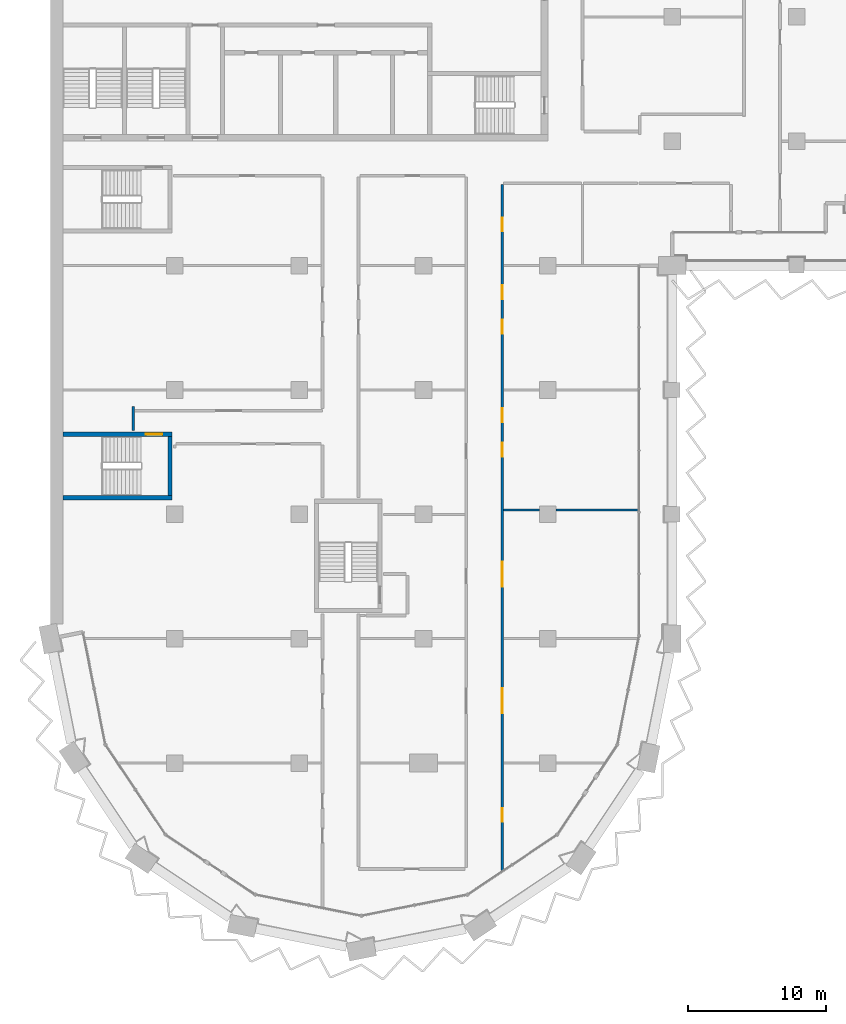
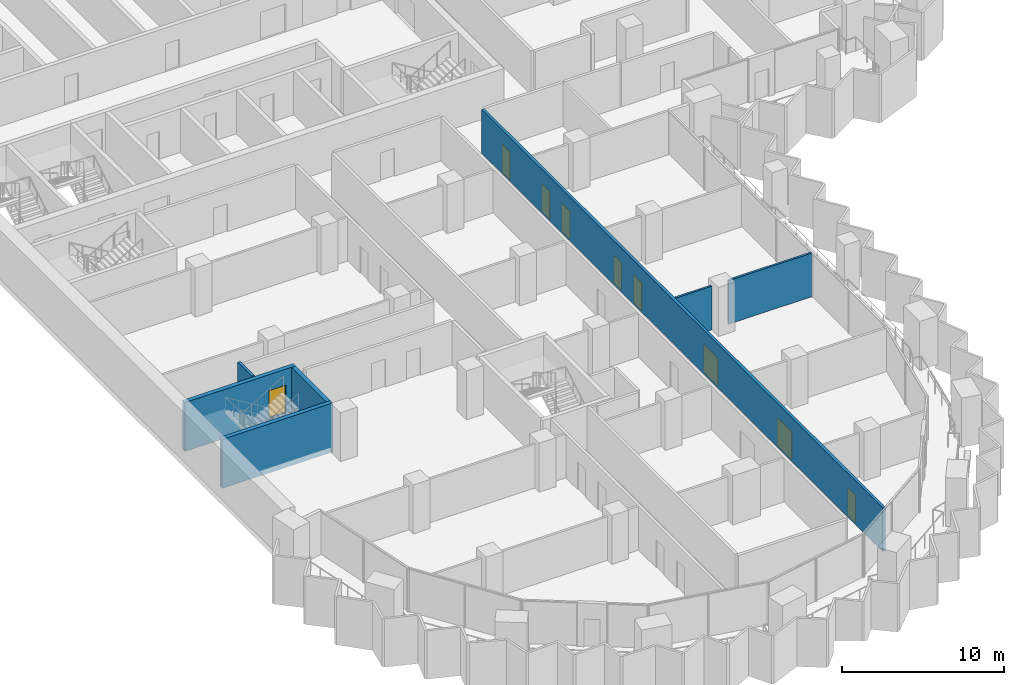
# One storey, part 10 of 23: 9 doors, 7 walls, 9 openings.
"""IFC4 building model written with IfcOpenShell, lengths in metres."""

from ifc_helpers import new_model, si_unit, direction, frame, frame_2d, origin, place, context, subcontext, project, spatial, rectangle, extrude, material, layer, layer_set, type_object, element, fill, save


model = new_model("IFC4")

# Units and contexts
model_context = context("Model", 3, precision=1e-05, world=origin(), true_north=direction((0.0, 1.0)))
body_context = subcontext(model_context, "Body", "Model", "MODEL_VIEW")
ifc_project = project(units=[si_unit("LENGTHUNIT", "METRE"), si_unit("AREAUNIT", "SQUARE_METRE"), si_unit("VOLUMEUNIT", "CUBIC_METRE"), si_unit("PLANEANGLEUNIT", "RADIAN"), si_unit("MASSUNIT", "GRAM", prefix="KILO")], contexts=[model_context])

# Site, building, storey
site_placement = place(None, origin())
site = spatial("IfcSite", under=ifc_project, at=site_placement, CompositionType="ELEMENT")
building_placement = place(site_placement, origin())
building = spatial("IfcBuilding", under=site, at=building_placement, Name="Hunhe Ridgeline Campus", CompositionType="ELEMENT")
storey_placement = place(building_placement, frame((0.0, 0.0, 152.300048828125)))
storey = spatial("IfcBuildingStorey", under=building, at=storey_placement, Name="L38", CompositionType="ELEMENT", Elevation=152.300048828125)

# Wall
ifc_material_1 = material(Name="Gypsum board partition")
ifc_layer_1 = layer(ifc_material_1, 0.199951171875)
ifc_layer_set_1 = layer_set([ifc_layer_1], Name="Corridor partition 200 gypsum board on steel studs")
wall_type_1 = type_object("IfcWallType", Name="Corridor partition 200 gypsum board on steel studs", PredefinedType="PARTITIONING", material=ifc_layer_set_1)
wall_1_placement = place(storey_placement, frame((6.0, 42.053955078125, 0.0), z_axis=(0.0, 0.0, 1.0), x_axis=(0.0, 1.0, 0.0)))
element("IfcWall", 1, at=wall_1_placement, inside=storey, type_object=wall_type_1, Name="F-L38-wall-059", PredefinedType="PARTITIONING", context=body_context, shape_type="SweptSolid", body=[
    extrude(rectangle(XDim=1.74609375, YDim=0.199951171875, at=frame_2d((0.873046875, 0.0))), origin(), (0.0, 0.0, 1.0), 3.300048828125),
])

# Wall, openings, doors
wall_2_placement = place(storey_placement, frame((32.699951171875, 59.85107421875, 0.0), z_axis=(0.0, 0.0, 1.0), x_axis=(0.0, -1.0, 0.0)))
wall_2 = element("IfcWall", 2, at=wall_2_placement, inside=storey, type_object=wall_type_1, Name="F-L38-wall-068", PredefinedType="PARTITIONING", context=body_context, shape_type="SweptSolid", body=[
    extrude(rectangle(XDim=49.62353515625, YDim=0.199951171875, at=frame_2d((24.811767578125, 0.0))), origin(), (0.0, 0.0, 1.0), 3.300048828125),
])
opening_1_placement = place(wall_2_placement, frame((45.113525390625, 0.0, 0.0)))
opening_1 = element("IfcOpeningElement", 3, at=opening_1_placement, cuts=wall_2, Name="Opening RD1-003", PredefinedType="OPENING", context=body_context, shape_type="SweptSolid", body=[
    extrude(rectangle(XDim=1.0, YDim=2.10009765625, at=frame_2d((0.5, 1.050048828125))), frame((0.0, 0.10009765625, 0.0), z_axis=(0.0, -1.0, 0.0), x_axis=(1.0, 0.0, 0.0)), (0.0, 0.0, 1.0), 0.199951171875),
])
opening_2_placement = place(wall_2_placement, frame((36.443115234375, 0.0, 0.0)))
opening_2 = element("IfcOpeningElement", 4, at=opening_2_placement, cuts=wall_2, Name="Opening RD2-007", PredefinedType="OPENING", context=body_context, shape_type="SweptSolid", body=[
    extrude(rectangle(XDim=1.800048828125, YDim=2.10009765625, at=frame_2d((0.89990234375, 1.050048828125))), frame((0.0, 0.10009765625, 0.0), z_axis=(0.0, -1.0, 0.0), x_axis=(1.0, 0.0, 0.0)), (0.0, 0.0, 1.0), 0.199951171875),
])
opening_3_placement = place(wall_2_placement, frame((27.295166015625, 0.0, 0.0)))
opening_3 = element("IfcOpeningElement", 5, at=opening_3_placement, cuts=wall_2, Name="Opening RD2-010", PredefinedType="OPENING", context=body_context, shape_type="SweptSolid", body=[
    extrude(rectangle(XDim=1.800048828125, YDim=2.10009765625, at=frame_2d((0.89990234375, 1.050048828125))), frame((0.0, 0.10009765625, 0.0), z_axis=(0.0, -1.0, 0.0), x_axis=(1.0, 0.0, 0.0)), (0.0, 0.0, 1.0), 0.199951171875),
])
opening_4_placement = place(wall_2_placement, frame((18.672607421875, 0.0, 0.0)))
opening_4 = element("IfcOpeningElement", 6, at=opening_4_placement, cuts=wall_2, Name="Opening RD1-012", PredefinedType="OPENING", context=body_context, shape_type="SweptSolid", body=[
    extrude(rectangle(XDim=1.0, YDim=2.10009765625, at=frame_2d((0.5, 1.050048828125))), frame((0.0, 0.10009765625, 0.0), z_axis=(0.0, -1.0, 0.0), x_axis=(1.0, 0.0, 0.0)), (0.0, 0.0, 1.0), 0.199951171875),
])
opening_5_placement = place(wall_2_placement, frame((16.172607421875, 0.0, 0.0)))
opening_5 = element("IfcOpeningElement", 7, at=opening_5_placement, cuts=wall_2, Name="Opening RD1-015", PredefinedType="OPENING", context=body_context, shape_type="SweptSolid", body=[
    extrude(rectangle(XDim=1.0, YDim=2.10009765625, at=frame_2d((0.5, 1.050048828125))), frame((0.0, 0.10009765625, 0.0), z_axis=(0.0, -1.0, 0.0), x_axis=(1.0, 0.0, 0.0)), (0.0, 0.0, 1.0), 0.199951171875),
])
opening_6_placement = place(wall_2_placement, frame((9.775634765625, 0.0, 0.0)))
opening_6 = element("IfcOpeningElement", 8, at=opening_6_placement, cuts=wall_2, Name="Opening RD1-019", PredefinedType="OPENING", context=body_context, shape_type="SweptSolid", body=[
    extrude(rectangle(XDim=1.0, YDim=2.10009765625, at=frame_2d((0.5, 1.050048828125))), frame((0.0, 0.10009765625, 0.0), z_axis=(0.0, -1.0, 0.0), x_axis=(1.0, 0.0, 0.0)), (0.0, 0.0, 1.0), 0.199951171875),
])
opening_7_placement = place(wall_2_placement, frame((7.275634765625, 0.0, 0.0)))
opening_7 = element("IfcOpeningElement", 9, at=opening_7_placement, cuts=wall_2, Name="Opening RD1-022", PredefinedType="OPENING", context=body_context, shape_type="SweptSolid", body=[
    extrude(rectangle(XDim=1.0, YDim=2.10009765625, at=frame_2d((0.5, 1.050048828125))), frame((0.0, 0.10009765625, 0.0), z_axis=(0.0, -1.0, 0.0), x_axis=(1.0, 0.0, 0.0)), (0.0, 0.0, 1.0), 0.199951171875),
])
opening_8_placement = place(wall_2_placement, frame((2.382080078125, 0.0, 0.0)))
opening_8 = element("IfcOpeningElement", 10, at=opening_8_placement, cuts=wall_2, Name="Opening RD1-023", PredefinedType="OPENING", context=body_context, shape_type="SweptSolid", body=[
    extrude(rectangle(XDim=1.0, YDim=2.10009765625, at=frame_2d((0.5, 1.050048828125))), frame((0.0, 0.10009765625, 0.0), z_axis=(0.0, -1.0, 0.0), x_axis=(1.0, 0.0, 0.0)), (0.0, 0.0, 1.0), 0.199951171875),
])
ifc_material_2 = material(Name="Timber door leaf", Category="wood")
door_type_1 = type_object("IfcDoorType", Name="Double fire door 1800x2100 timber FD60", OperationType="DOUBLE_DOOR_SINGLE_SWING", PredefinedType="DOOR", material=ifc_material_2)
door_1_placement = place(opening_2_placement, origin())
door_1 = element("IfcDoor", 11, at=door_1_placement, inside=storey, type_object=door_type_1, Name="F-L38-door-007", OperationType="DOUBLE_DOOR_SINGLE_SWING", OverallHeight=2.10009765625, OverallWidth=1.800048828125, PredefinedType="DOOR", context=body_context, shape_type="SweptSolid", body=[
    extrude(rectangle(XDim=1.800048828125, YDim=2.10009765625, at=frame_2d((0.89990234375, 1.050048828125))), frame((0.0, 0.02490234375, 0.0), z_axis=(0.0, -1.0, 0.0), x_axis=(1.0, 0.0, 0.0)), (0.0, 0.0, 1.0), 0.050048828125),
])
fill(opening_2, door_1)
door_2_placement = place(opening_3_placement, origin())
door_2 = element("IfcDoor", 12, at=door_2_placement, inside=storey, type_object=door_type_1, Name="F-L38-door-010", OperationType="DOUBLE_DOOR_SINGLE_SWING", OverallHeight=2.10009765625, OverallWidth=1.800048828125, PredefinedType="DOOR", context=body_context, shape_type="SweptSolid", body=[
    extrude(rectangle(XDim=1.800048828125, YDim=2.10009765625, at=frame_2d((0.89990234375, 1.050048828125))), frame((0.0, 0.02490234375, 0.0), z_axis=(0.0, -1.0, 0.0), x_axis=(1.0, 0.0, 0.0)), (0.0, 0.0, 1.0), 0.050048828125),
])
fill(opening_3, door_2)
door_type_2 = type_object("IfcDoorType", Name="Single fire door 1000x2100 timber FD60", OperationType="NOTDEFINED", PredefinedType="DOOR", material=ifc_material_2)
door_3_placement = place(opening_1_placement, origin())
door_3 = element("IfcDoor", 13, at=door_3_placement, inside=storey, type_object=door_type_2, Name="F-L38-door-003", OperationType="SINGLE_SWING_RIGHT", OverallHeight=2.10009765625, OverallWidth=1.0, PredefinedType="DOOR", context=body_context, shape_type="SweptSolid", body=[
    extrude(rectangle(XDim=1.0, YDim=2.10009765625, at=frame_2d((0.5, 1.050048828125))), frame((0.0, 0.02490234375, 0.0), z_axis=(0.0, -1.0, 0.0), x_axis=(1.0, 0.0, 0.0)), (0.0, 0.0, 1.0), 0.050048828125),
])
fill(opening_1, door_3)
door_4_placement = place(opening_4_placement, frame((1.0, 0.0, 0.0), z_axis=(0.0, 0.0, 1.0), x_axis=(-1.0, 0.0, 0.0)))
door_4 = element("IfcDoor", 14, at=door_4_placement, inside=storey, type_object=door_type_2, Name="F-L38-door-012", OperationType="SINGLE_SWING_RIGHT", OverallHeight=2.10009765625, OverallWidth=1.0, PredefinedType="DOOR", context=body_context, shape_type="SweptSolid", body=[
    extrude(rectangle(XDim=1.0, YDim=2.10009765625, at=frame_2d((0.5, 1.050048828125))), frame((0.0, 0.02490234375, 0.0), z_axis=(0.0, -1.0, 0.0), x_axis=(1.0, 0.0, 0.0)), (0.0, 0.0, 1.0), 0.050048828125),
])
fill(opening_4, door_4)
door_5_placement = place(opening_5_placement, frame((1.0, 0.0, 0.0), z_axis=(0.0, 0.0, 1.0), x_axis=(-1.0, 0.0, 0.0)))
door_5 = element("IfcDoor", 15, at=door_5_placement, inside=storey, type_object=door_type_2, Name="F-L38-door-015", OperationType="SINGLE_SWING_RIGHT", OverallHeight=2.10009765625, OverallWidth=1.0, PredefinedType="DOOR", context=body_context, shape_type="SweptSolid", body=[
    extrude(rectangle(XDim=1.0, YDim=2.10009765625, at=frame_2d((0.5, 1.050048828125))), frame((0.0, 0.02490234375, 0.0), z_axis=(0.0, -1.0, 0.0), x_axis=(1.0, 0.0, 0.0)), (0.0, 0.0, 1.0), 0.050048828125),
])
fill(opening_5, door_5)
door_6_placement = place(opening_6_placement, frame((1.0, 0.0, 0.0), z_axis=(0.0, 0.0, 1.0), x_axis=(-1.0, 0.0, 0.0)))
door_6 = element("IfcDoor", 16, at=door_6_placement, inside=storey, type_object=door_type_2, Name="F-L38-door-019", OperationType="SINGLE_SWING_LEFT", OverallHeight=2.10009765625, OverallWidth=1.0, PredefinedType="DOOR", context=body_context, shape_type="SweptSolid", body=[
    extrude(rectangle(XDim=1.0, YDim=2.10009765625, at=frame_2d((0.5, 1.050048828125))), frame((0.0, 0.02490234375, 0.0), z_axis=(0.0, -1.0, 0.0), x_axis=(1.0, 0.0, 0.0)), (0.0, 0.0, 1.0), 0.050048828125),
])
fill(opening_6, door_6)
door_7_placement = place(opening_7_placement, frame((1.0, 0.0, 0.0), z_axis=(0.0, 0.0, 1.0), x_axis=(-1.0, 0.0, 0.0)))
door_7 = element("IfcDoor", 17, at=door_7_placement, inside=storey, type_object=door_type_2, Name="F-L38-door-022", OperationType="SINGLE_SWING_RIGHT", OverallHeight=2.10009765625, OverallWidth=1.0, PredefinedType="DOOR", context=body_context, shape_type="SweptSolid", body=[
    extrude(rectangle(XDim=1.0, YDim=2.10009765625, at=frame_2d((0.5, 1.050048828125))), frame((0.0, 0.02490234375, 0.0), z_axis=(0.0, -1.0, 0.0), x_axis=(1.0, 0.0, 0.0)), (0.0, 0.0, 1.0), 0.050048828125),
])
fill(opening_7, door_7)
door_8_placement = place(opening_8_placement, origin())
door_8 = element("IfcDoor", 18, at=door_8_placement, inside=storey, type_object=door_type_2, Name="F-L38-door-023", OperationType="SINGLE_SWING_LEFT", OverallHeight=2.10009765625, OverallWidth=1.0, PredefinedType="DOOR", context=body_context, shape_type="SweptSolid", body=[
    extrude(rectangle(XDim=1.0, YDim=2.10009765625, at=frame_2d((0.5, 1.050048828125))), frame((0.0, 0.02490234375, 0.0), z_axis=(0.0, -1.0, 0.0), x_axis=(1.0, 0.0, 0.0)), (0.0, 0.0, 1.0), 0.050048828125),
])
fill(opening_8, door_8)

# Walls
ifc_layer_2 = layer(ifc_material_1, 0.14990234375)
ifc_layer_set_2 = layer_set([ifc_layer_2], Name="Room partition 150 gypsum board on steel studs")
wall_type_2 = type_object("IfcWallType", Name="Room partition 150 gypsum board on steel studs", PredefinedType="PARTITIONING", material=ifc_layer_set_2)
wall_3_placement = place(storey_placement, frame((32.800048828125, 36.300048828125, 0.0), z_axis=(0.0, 0.0, 1.0), x_axis=(1.0, 0.0, 0.0)))
element("IfcWall", 19, at=wall_3_placement, inside=storey, type_object=wall_type_2, Name="F-L38-wall-021", PredefinedType="PARTITIONING", context=body_context, shape_type="SweptSolid", body=[
    extrude(rectangle(XDim=2.599853515625, YDim=0.14990234375, at=frame_2d((1.2998046875, 0.0))), origin(), (0.0, 0.0, 1.0), 3.300048828125),
])
wall_4_placement = place(storey_placement, frame((36.60009765625, 36.300048828125, 0.0), z_axis=(0.0, 0.0, 1.0), x_axis=(1.0, 0.0, 0.0)))
element("IfcWall", 20, at=wall_4_placement, inside=storey, type_object=wall_type_2, Name="F-L38-wall-022", PredefinedType="PARTITIONING", context=body_context, shape_type="SweptSolid", body=[
    extrude(rectangle(XDim=5.94482421875, YDim=0.14990234375, at=frame_2d((2.972412109375, 0.0))), origin(), (0.0, 0.0, 1.0), 3.300048828125),
])
ifc_material_3 = material(Name="Concrete C70", Category="concrete")
ifc_layer_3 = layer(ifc_material_3, 0.300048828125)
ifc_layer_set_3 = layer_set([ifc_layer_3], Name="Stair wall 300 reinforced concrete C70")
wall_type_3 = type_object("IfcWallType", Name="Stair wall 300 reinforced concrete C70", PredefinedType="SOLIDWALL", material=ifc_layer_set_3)
wall_5_placement = place(storey_placement, frame((0.89990234375, 37.199951171875, -0.400146484375), z_axis=(0.0, 0.0, 1.0), x_axis=(1.0, 0.0, 0.0)))
element("IfcWall", 21, at=wall_5_placement, inside=storey, type_object=wall_type_3, Name="L38 core wall 3", PredefinedType="SOLIDWALL", context=body_context, shape_type="SweptSolid", body=[
    extrude(rectangle(XDim=7.900146484375, YDim=0.300048828125, at=frame_2d((3.9501953125, 0.0))), origin(), (0.0, 0.0, 1.0), 3.7001953125),
])

# Wall, opening, door
wall_6_placement = place(storey_placement, frame((0.89990234375, 41.800048828125, -0.400146484375), z_axis=(0.0, 0.0, 1.0), x_axis=(1.0, 0.0, 0.0)))
wall_6 = element("IfcWall", 22, at=wall_6_placement, inside=storey, type_object=wall_type_3, Name="L38 core wall 4", PredefinedType="SOLIDWALL", context=body_context, shape_type="SweptSolid", body=[
    extrude(rectangle(XDim=7.900146484375, YDim=0.300048828125, at=frame_2d((3.9501953125, 0.0))), origin(), (0.0, 0.0, 1.0), 3.7001953125),
])
opening_9_placement = place(wall_6_placement, frame((6.0, 0.0, 0.39990234375)))
opening_9 = element("IfcOpeningElement", 23, at=opening_9_placement, cuts=wall_6, Name="Opening CD21", PredefinedType="OPENING", context=body_context, shape_type="SweptSolid", body=[
    extrude(rectangle(XDim=1.199951171875, YDim=2.10009765625, at=frame_2d((0.60009765625, 1.050048828125))), frame((0.0, 0.14990234375, 0.0), z_axis=(0.0, -1.0, 0.0), x_axis=(1.0, 0.0, 0.0)), (0.0, 0.0, 1.0), 0.300048828125),
])
ifc_material_4 = material(Name="Hollow metal fire door leaf")
door_type_3 = type_object("IfcDoorType", Name="Stair door 1200x2100 FD60", OperationType="SINGLE_SWING_LEFT", PredefinedType="DOOR", material=ifc_material_4)
door_9_placement = place(opening_9_placement, origin())
door_9 = element("IfcDoor", 24, at=door_9_placement, inside=storey, type_object=door_type_3, Name="L38 door W1", OperationType="SINGLE_SWING_LEFT", OverallHeight=2.10009765625, OverallWidth=1.199951171875, PredefinedType="DOOR", context=body_context, shape_type="SweptSolid", body=[
    extrude(rectangle(XDim=1.199951171875, YDim=2.10009765625, at=frame_2d((0.60009765625, 1.050048828125))), frame((0.0, 0.02490234375, 0.0), z_axis=(0.0, -1.0, 0.0), x_axis=(1.0, 0.0, 0.0)), (0.0, 0.0, 1.0), 0.050048828125),
])
fill(opening_9, door_9)

# Wall
wall_7_placement = place(storey_placement, frame((8.64990234375, 37.35009765625, -0.400146484375), z_axis=(0.0, 0.0, 1.0), x_axis=(0.0, 1.0, 0.0)))
element("IfcWall", 25, at=wall_7_placement, inside=storey, type_object=wall_type_3, Name="L38 core wall 35", PredefinedType="SOLIDWALL", context=body_context, shape_type="SweptSolid", body=[
    extrude(rectangle(XDim=4.2998046875, YDim=0.300048828125, at=frame_2d((2.14990234375, 0.0))), origin(), (0.0, 0.0, 1.0), 3.7001953125),
])

save(model, "model.ifc")
